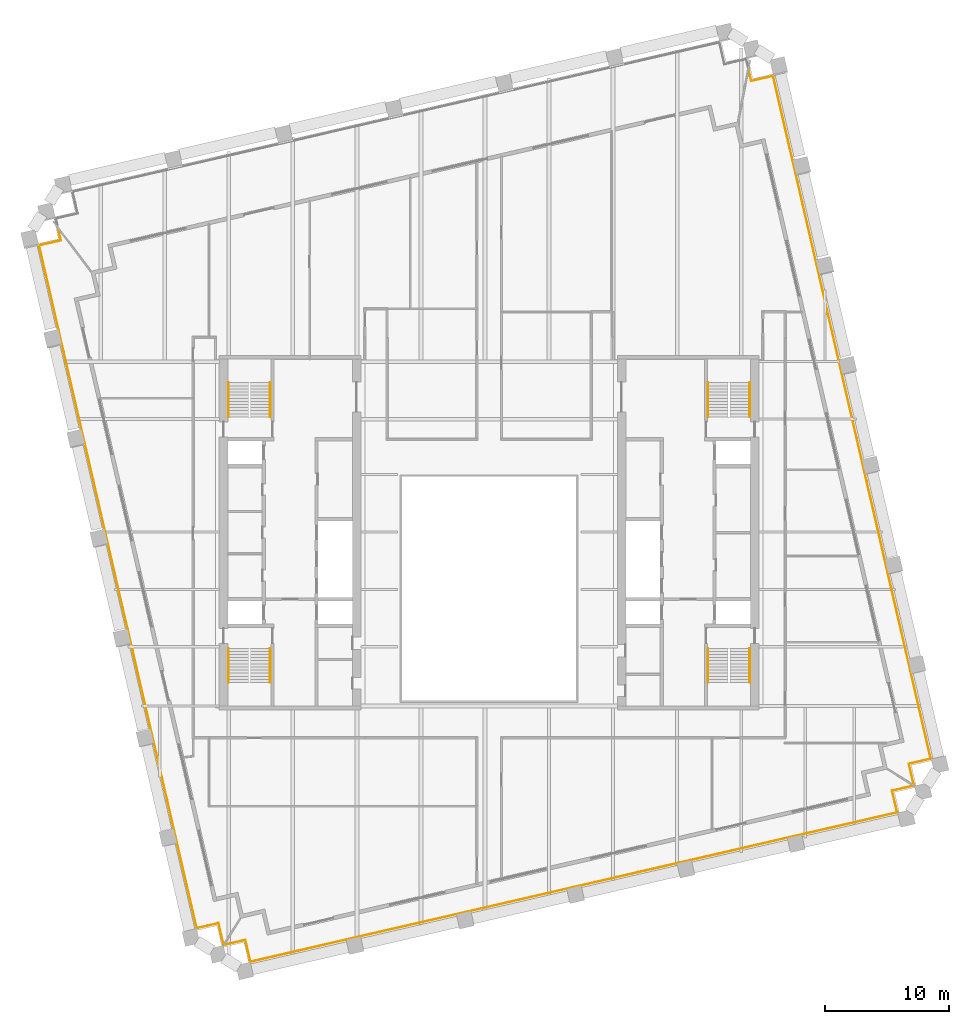
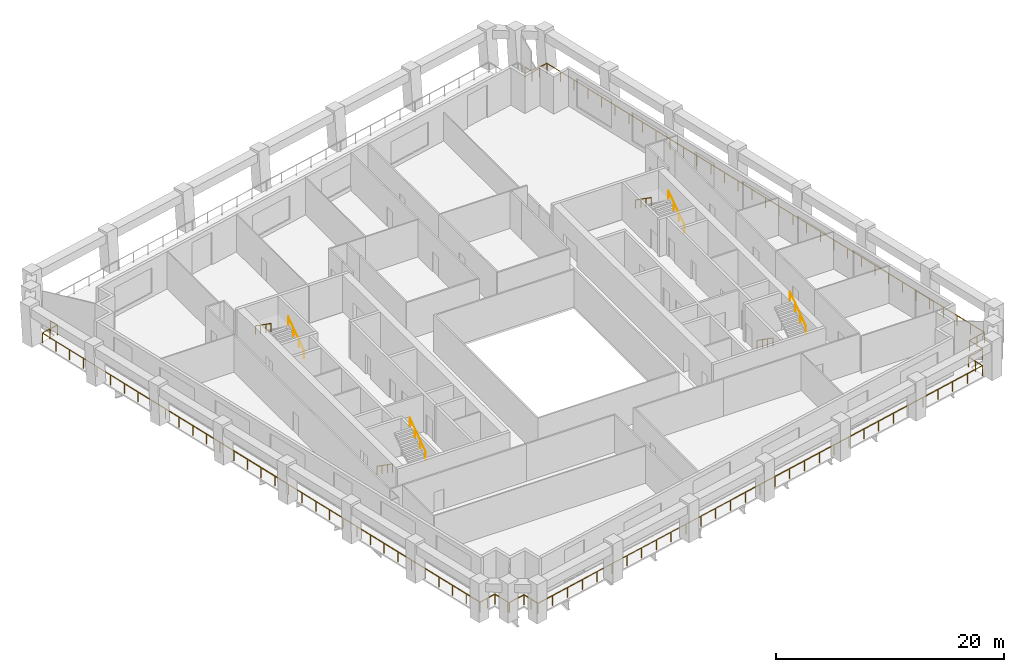
# One storey, part 9 of 10: 11 railings.
"""IFC4 building model written with IfcOpenShell, lengths in metres."""

from ifc_helpers import new_model, si_unit, direction, frame, origin, origin_2d, place, context, subcontext, project, spatial, circle, extrude, material, type_object, element, save


model = new_model("IFC4")

# Units and contexts
model_context = context("Model", 3, precision=1e-05, world=origin(), true_north=direction((0.0, 1.0)))
body_context = subcontext(model_context, "Body", "Model", "MODEL_VIEW")
ifc_project = project(units=[si_unit("LENGTHUNIT", "METRE"), si_unit("AREAUNIT", "SQUARE_METRE"), si_unit("VOLUMEUNIT", "CUBIC_METRE"), si_unit("PLANEANGLEUNIT", "RADIAN"), si_unit("MASSUNIT", "GRAM", prefix="KILO")], contexts=[model_context])

# Site, building, storey
site_placement = place(None, origin())
site = spatial("IfcSite", under=ifc_project, at=site_placement, CompositionType="ELEMENT")
building_placement = place(site_placement, origin())
building = spatial("IfcBuilding", under=site, at=building_placement, Name="Ogive Exchange Tower", CompositionType="ELEMENT")
storey_placement = place(building_placement, frame((0.0, 0.0, 201.0)))
storey = spatial("IfcBuildingStorey", under=building, at=storey_placement, Name="L44", CompositionType="ELEMENT", Elevation=201.0)

# Railings
ifc_material_1 = material(Name="Stainless steel 316", Category="steel")
railing_type_1 = type_object("IfcRailingType", Name="Guard 1100 stainless steel and glass", PredefinedType="GUARDRAIL", material=ifc_material_1)
railing_1_placement = place(storey_placement, frame((34.067138671875, -8.864013671875, -0.050048828125)))
element("IfcRailing", 1, at=railing_1_placement, inside=storey, type_object=railing_type_1, Name="Loggia guard 1", PredefinedType="GUARDRAIL", context=body_context, shape_type="SweptSolid", body=[
    extrude(circle(Radius=0.02392578125, at=origin_2d()), frame((0.0, 0.0, 1.076171875), z_axis=(-0.974364690374, -0.224974332206, 0.0), x_axis=(0.224974332206, -0.974364690374, 0.0)), (0.0, 0.0, 1.0), 1.7080078125),
    extrude(circle(Radius=0.02392578125, at=origin_2d()), frame((-1.664306640625, -0.38427734375, 1.076171875), z_axis=(0.224879318197, -0.974386623598, 0.0), x_axis=(0.974386623598, 0.224879318197, 0.0)), (0.0, 0.0, 1.0), 1.800048828125),
    extrude(circle(Radius=0.02392578125, at=origin_2d()), frame((-1.259521484375, -2.13818359375, 1.076171875), z_axis=(-0.97436998541, -0.224951398156, 0.0), x_axis=(0.224951398156, -0.97436998541, 0.0)), (0.0, 0.0, 1.0), 53.360107421875),
    extrude(circle(Radius=0.02392578125, at=origin_2d()), frame((-53.251953125, -14.1416015625, 1.076171875), z_axis=(-0.224879318197, 0.974386623598, 0.0), x_axis=(-0.974386623598, -0.224879318197, 0.0)), (0.0, 0.0, 1.0), 1.800048828125),
    extrude(circle(Radius=0.02392578125, at=origin_2d()), frame((-53.65673828125, -12.3876953125, 1.076171875), z_axis=(-0.974364690374, -0.224974332206, 0.0), x_axis=(0.224974332206, -0.974364690374, 0.0)), (0.0, 0.0, 1.0), 1.7080078125),
    extrude(circle(Radius=0.02099609375, at=origin_2d()), origin(), (0.0, 0.0, 1.0), 1.052001953125),
    extrude(circle(Radius=0.02099609375, at=origin_2d()), frame((-1.664306640625, -0.38427734375, 0.0)), (0.0, 0.0, 1.0), 1.052001953125),
    extrude(circle(Radius=0.02099609375, at=origin_2d()), frame((-1.4619140625, -1.26123046875, 0.0)), (0.0, 0.0, 1.0), 1.052001953125),
    extrude(circle(Radius=0.02099609375, at=origin_2d()), frame((-1.259521484375, -2.13818359375, 0.0)), (0.0, 0.0, 1.0), 1.052001953125),
    extrude(circle(Radius=0.02099609375, at=origin_2d()), frame((-2.99267578125, -2.538330078125, 0.0)), (0.0, 0.0, 1.0), 1.052001953125),
    extrude(circle(Radius=0.02099609375, at=origin_2d()), frame((-4.7255859375, -2.9384765625, 0.0)), (0.0, 0.0, 1.0), 1.052001953125),
    extrude(circle(Radius=0.02099609375, at=origin_2d()), frame((-6.458740234375, -3.338623046875, 0.0)), (0.0, 0.0, 1.0), 1.052001953125),
    extrude(circle(Radius=0.02099609375, at=origin_2d()), frame((-8.19189453125, -3.738525390625, 0.0)), (0.0, 0.0, 1.0), 1.052001953125),
    extrude(circle(Radius=0.02099609375, at=origin_2d()), frame((-9.9248046875, -4.138671875, 0.0)), (0.0, 0.0, 1.0), 1.052001953125),
    extrude(circle(Radius=0.02099609375, at=origin_2d()), frame((-11.657958984375, -4.538818359375, 0.0)), (0.0, 0.0, 1.0), 1.052001953125),
    extrude(circle(Radius=0.02099609375, at=origin_2d()), frame((-13.39111328125, -4.93896484375, 0.0)), (0.0, 0.0, 1.0), 1.052001953125),
    extrude(circle(Radius=0.02099609375, at=origin_2d()), frame((-15.124267578125, -5.339111328125, 0.0)), (0.0, 0.0, 1.0), 1.052001953125),
    extrude(circle(Radius=0.02099609375, at=origin_2d()), frame((-16.857177734375, -5.7392578125, 0.0)), (0.0, 0.0, 1.0), 1.052001953125),
    extrude(circle(Radius=0.02099609375, at=origin_2d()), frame((-18.59033203125, -6.139404296875, 0.0)), (0.0, 0.0, 1.0), 1.052001953125),
    extrude(circle(Radius=0.02099609375, at=origin_2d()), frame((-20.323486328125, -6.53955078125, 0.0)), (0.0, 0.0, 1.0), 1.052001953125),
    extrude(circle(Radius=0.02099609375, at=origin_2d()), frame((-22.056396484375, -6.939453125, 0.0)), (0.0, 0.0, 1.0), 1.052001953125),
    extrude(circle(Radius=0.02099609375, at=origin_2d()), frame((-23.78955078125, -7.339599609375, 0.0)), (0.0, 0.0, 1.0), 1.052001953125),
    extrude(circle(Radius=0.02099609375, at=origin_2d()), frame((-25.522705078125, -7.73974609375, 0.0)), (0.0, 0.0, 1.0), 1.052001953125),
    extrude(circle(Radius=0.02099609375, at=origin_2d()), frame((-27.255859375, -8.139892578125, 0.0)), (0.0, 0.0, 1.0), 1.052001953125),
    extrude(circle(Radius=0.02099609375, at=origin_2d()), frame((-28.98876953125, -8.5400390625, 0.0)), (0.0, 0.0, 1.0), 1.052001953125),
    extrude(circle(Radius=0.02099609375, at=origin_2d()), frame((-30.721923828125, -8.940185546875, 0.0)), (0.0, 0.0, 1.0), 1.052001953125),
    extrude(circle(Radius=0.02099609375, at=origin_2d()), frame((-32.455078125, -9.34033203125, 0.0)), (0.0, 0.0, 1.0), 1.052001953125),
    extrude(circle(Radius=0.02099609375, at=origin_2d()), frame((-34.18798828125, -9.740234375, 0.0)), (0.0, 0.0, 1.0), 1.052001953125),
    extrude(circle(Radius=0.02099609375, at=origin_2d()), frame((-35.921142578125, -10.140380859375, 0.0)), (0.0, 0.0, 1.0), 1.052001953125),
    extrude(circle(Radius=0.02099609375, at=origin_2d()), frame((-37.654296875, -10.54052734375, 0.0)), (0.0, 0.0, 1.0), 1.052001953125),
    extrude(circle(Radius=0.02099609375, at=origin_2d()), frame((-39.38720703125, -10.940673828125, 0.0)), (0.0, 0.0, 1.0), 1.052001953125),
    extrude(circle(Radius=0.02099609375, at=origin_2d()), frame((-41.120361328125, -11.3408203125, 0.0)), (0.0, 0.0, 1.0), 1.052001953125),
    extrude(circle(Radius=0.02099609375, at=origin_2d()), frame((-42.853515625, -11.740966796875, 0.0)), (0.0, 0.0, 1.0), 1.052001953125),
    extrude(circle(Radius=0.02099609375, at=origin_2d()), frame((-44.58642578125, -12.14111328125, 0.0)), (0.0, 0.0, 1.0), 1.052001953125),
    extrude(circle(Radius=0.02099609375, at=origin_2d()), frame((-46.319580078125, -12.541259765625, 0.0)), (0.0, 0.0, 1.0), 1.052001953125),
    extrude(circle(Radius=0.02099609375, at=origin_2d()), frame((-48.052734375, -12.941162109375, 0.0)), (0.0, 0.0, 1.0), 1.052001953125),
    extrude(circle(Radius=0.02099609375, at=origin_2d()), frame((-49.785888671875, -13.34130859375, 0.0)), (0.0, 0.0, 1.0), 1.052001953125),
    extrude(circle(Radius=0.02099609375, at=origin_2d()), frame((-51.518798828125, -13.741455078125, 0.0)), (0.0, 0.0, 1.0), 1.052001953125),
    extrude(circle(Radius=0.02099609375, at=origin_2d()), frame((-53.251953125, -14.1416015625, 0.0)), (0.0, 0.0, 1.0), 1.052001953125),
    extrude(circle(Radius=0.02099609375, at=origin_2d()), frame((-53.454345703125, -13.2646484375, 0.0)), (0.0, 0.0, 1.0), 1.052001953125),
    extrude(circle(Radius=0.02099609375, at=origin_2d()), frame((-53.65673828125, -12.3876953125, 0.0)), (0.0, 0.0, 1.0), 1.052001953125),
    extrude(circle(Radius=0.02099609375, at=origin_2d()), frame((-55.321044921875, -12.77197265625, 0.0)), (0.0, 0.0, 1.0), 1.052001953125),
])
railing_2_placement = place(storey_placement, frame((-21.364013671875, -21.567138671875, -0.050048828125)))
element("IfcRailing", 2, at=railing_2_placement, inside=storey, type_object=railing_type_1, Name="Loggia guard 2", PredefinedType="GUARDRAIL", context=body_context, shape_type="SweptSolid", body=[
    extrude(circle(Radius=0.02392578125, at=origin_2d()), frame((0.0, 0.0, 1.076171875), z_axis=(-0.224974332206, 0.974364690374, 0.0), x_axis=(-0.974364690374, -0.224974332206, 0.0)), (0.0, 0.0, 1.0), 1.7080078125),
    extrude(circle(Radius=0.02392578125, at=origin_2d()), frame((-0.38427734375, 1.664306640625, 1.076171875), z_axis=(-0.974386623598, -0.224879318197, 0.0), x_axis=(0.224879318197, -0.974386623598, 0.0)), (0.0, 0.0, 1.0), 1.800048828125),
    extrude(circle(Radius=0.02392578125, at=origin_2d()), frame((-2.13818359375, 1.259521484375, 1.076171875), z_axis=(-0.224951926544, 0.974369863422, 0.0), x_axis=(-0.974369863422, -0.224951926544, 0.0)), (0.0, 0.0, 1.0), 56.334716796875),
    extrude(circle(Radius=0.02392578125, at=origin_2d()), frame((-14.810791015625, 56.150390625, 1.076171875), z_axis=(0.974386623598, 0.224879318197, 0.0), x_axis=(-0.224879318197, 0.974386623598, 0.0)), (0.0, 0.0, 1.0), 1.800048828125),
    extrude(circle(Radius=0.02392578125, at=origin_2d()), frame((-13.056884765625, 56.55517578125, 1.076171875), z_axis=(-0.22504348508, 0.974348720851, 0.0), x_axis=(-0.974348720851, -0.22504348508, 0.0)), (0.0, 0.0, 1.0), 0.872314453125),
    extrude(circle(Radius=0.02099609375, at=origin_2d()), origin(), (0.0, 0.0, 1.0), 1.052001953125),
    extrude(circle(Radius=0.02099609375, at=origin_2d()), frame((-0.38427734375, 1.664306640625, 0.0)), (0.0, 0.0, 1.0), 1.052001953125),
    extrude(circle(Radius=0.02099609375, at=origin_2d()), frame((-1.26123046875, 1.4619140625, 0.0)), (0.0, 0.0, 1.0), 1.052001953125),
    extrude(circle(Radius=0.02099609375, at=origin_2d()), frame((-2.13818359375, 1.259521484375, 0.0)), (0.0, 0.0, 1.0), 1.052001953125),
    extrude(circle(Radius=0.02099609375, at=origin_2d()), frame((-2.5341796875, 2.974853515625, 0.0)), (0.0, 0.0, 1.0), 1.052001953125),
    extrude(circle(Radius=0.02099609375, at=origin_2d()), frame((-2.93017578125, 4.690185546875, 0.0)), (0.0, 0.0, 1.0), 1.052001953125),
    extrude(circle(Radius=0.02099609375, at=origin_2d()), frame((-3.326171875, 6.405517578125, 0.0)), (0.0, 0.0, 1.0), 1.052001953125),
    extrude(circle(Radius=0.02099609375, at=origin_2d()), frame((-3.72216796875, 8.120849609375, 0.0)), (0.0, 0.0, 1.0), 1.052001953125),
    extrude(circle(Radius=0.02099609375, at=origin_2d()), frame((-4.1181640625, 9.836181640625, 0.0)), (0.0, 0.0, 1.0), 1.052001953125),
    extrude(circle(Radius=0.02099609375, at=origin_2d()), frame((-4.514404296875, 11.551513671875, 0.0)), (0.0, 0.0, 1.0), 1.052001953125),
    extrude(circle(Radius=0.02099609375, at=origin_2d()), frame((-4.910400390625, 13.266845703125, 0.0)), (0.0, 0.0, 1.0), 1.052001953125),
    extrude(circle(Radius=0.02099609375, at=origin_2d()), frame((-5.306396484375, 14.982177734375, 0.0)), (0.0, 0.0, 1.0), 1.052001953125),
    extrude(circle(Radius=0.02099609375, at=origin_2d()), frame((-5.702392578125, 16.697509765625, 0.0)), (0.0, 0.0, 1.0), 1.052001953125),
    extrude(circle(Radius=0.02099609375, at=origin_2d()), frame((-6.098388671875, 18.412841796875, 0.0)), (0.0, 0.0, 1.0), 1.052001953125),
    extrude(circle(Radius=0.02099609375, at=origin_2d()), frame((-6.494384765625, 20.128173828125, 0.0)), (0.0, 0.0, 1.0), 1.052001953125),
    extrude(circle(Radius=0.02099609375, at=origin_2d()), frame((-6.890380859375, 21.843505859375, 0.0)), (0.0, 0.0, 1.0), 1.052001953125),
    extrude(circle(Radius=0.02099609375, at=origin_2d()), frame((-7.286376953125, 23.558837890625, 0.0)), (0.0, 0.0, 1.0), 1.052001953125),
    extrude(circle(Radius=0.02099609375, at=origin_2d()), frame((-7.682373046875, 25.274169921875, 0.0)), (0.0, 0.0, 1.0), 1.052001953125),
    extrude(circle(Radius=0.02099609375, at=origin_2d()), frame((-8.078369140625, 26.989501953125, 0.0)), (0.0, 0.0, 1.0), 1.052001953125),
    extrude(circle(Radius=0.02099609375, at=origin_2d()), frame((-8.474609375, 28.705078125, 0.0)), (0.0, 0.0, 1.0), 1.052001953125),
    extrude(circle(Radius=0.02099609375, at=origin_2d()), frame((-8.87060546875, 30.42041015625, 0.0)), (0.0, 0.0, 1.0), 1.052001953125),
    extrude(circle(Radius=0.02099609375, at=origin_2d()), frame((-9.2666015625, 32.1357421875, 0.0)), (0.0, 0.0, 1.0), 1.052001953125),
    extrude(circle(Radius=0.02099609375, at=origin_2d()), frame((-9.66259765625, 33.85107421875, 0.0)), (0.0, 0.0, 1.0), 1.052001953125),
    extrude(circle(Radius=0.02099609375, at=origin_2d()), frame((-10.05859375, 35.56640625, 0.0)), (0.0, 0.0, 1.0), 1.052001953125),
    extrude(circle(Radius=0.02099609375, at=origin_2d()), frame((-10.45458984375, 37.28173828125, 0.0)), (0.0, 0.0, 1.0), 1.052001953125),
    extrude(circle(Radius=0.02099609375, at=origin_2d()), frame((-10.8505859375, 38.9970703125, 0.0)), (0.0, 0.0, 1.0), 1.052001953125),
    extrude(circle(Radius=0.02099609375, at=origin_2d()), frame((-11.24658203125, 40.71240234375, 0.0)), (0.0, 0.0, 1.0), 1.052001953125),
    extrude(circle(Radius=0.02099609375, at=origin_2d()), frame((-11.642578125, 42.427734375, 0.0)), (0.0, 0.0, 1.0), 1.052001953125),
    extrude(circle(Radius=0.02099609375, at=origin_2d()), frame((-12.03857421875, 44.14306640625, 0.0)), (0.0, 0.0, 1.0), 1.052001953125),
    extrude(circle(Radius=0.02099609375, at=origin_2d()), frame((-12.4345703125, 45.8583984375, 0.0)), (0.0, 0.0, 1.0), 1.052001953125),
    extrude(circle(Radius=0.02099609375, at=origin_2d()), frame((-12.830810546875, 47.57373046875, 0.0)), (0.0, 0.0, 1.0), 1.052001953125),
    extrude(circle(Radius=0.02099609375, at=origin_2d()), frame((-13.226806640625, 49.2890625, 0.0)), (0.0, 0.0, 1.0), 1.052001953125),
    extrude(circle(Radius=0.02099609375, at=origin_2d()), frame((-13.622802734375, 51.00439453125, 0.0)), (0.0, 0.0, 1.0), 1.052001953125),
    extrude(circle(Radius=0.02099609375, at=origin_2d()), frame((-14.018798828125, 52.7197265625, 0.0)), (0.0, 0.0, 1.0), 1.052001953125),
    extrude(circle(Radius=0.02099609375, at=origin_2d()), frame((-14.414794921875, 54.43505859375, 0.0)), (0.0, 0.0, 1.0), 1.052001953125),
    extrude(circle(Radius=0.02099609375, at=origin_2d()), frame((-14.810791015625, 56.150390625, 0.0)), (0.0, 0.0, 1.0), 1.052001953125),
    extrude(circle(Radius=0.02099609375, at=origin_2d()), frame((-13.933837890625, 56.352783203125, 0.0)), (0.0, 0.0, 1.0), 1.052001953125),
    extrude(circle(Radius=0.02099609375, at=origin_2d()), frame((-13.056884765625, 56.55517578125, 0.0)), (0.0, 0.0, 1.0), 1.052001953125),
    extrude(circle(Radius=0.02099609375, at=origin_2d()), frame((-13.253173828125, 57.405029296875, 0.0)), (0.0, 0.0, 1.0), 1.052001953125),
])
railing_3_placement = place(storey_placement, frame((20.883056640625, 48.651123046875, -0.050048828125)))
element("IfcRailing", 3, at=railing_3_placement, inside=storey, type_object=railing_type_1, Name="Loggia guard 4", PredefinedType="GUARDRAIL", context=body_context, shape_type="SweptSolid", body=[
    extrude(circle(Radius=0.02392578125, at=origin_2d()), frame((0.0, 0.0, 1.076171875), z_axis=(0.224777730808, -0.97441006344, 0.0), x_axis=(0.97441006344, 0.224777730808, 0.0)), (0.0, 0.0, 1.0), 0.8720703125),
    extrude(circle(Radius=0.02392578125, at=origin_2d()), frame((0.196044921875, -0.849853515625, 1.076171875), z_axis=(0.974356896201, 0.225008086135, 0.0), x_axis=(-0.225008086135, 0.974356896201, 0.0)), (0.0, 0.0, 1.0), 1.800048828125),
    extrude(circle(Radius=0.02392578125, at=origin_2d()), frame((1.949951171875, -0.44482421875, 1.076171875), z_axis=(0.224950976649, -0.974370082723, 0.0), x_axis=(0.974370082723, 0.224950976649, 0.0)), (0.0, 0.0, 1.0), 56.3349609375),
    extrude(circle(Radius=0.02392578125, at=origin_2d()), frame((14.62255859375, -55.3359375, 1.076171875), z_axis=(-0.974386623598, -0.224879318197, 0.0), x_axis=(0.224879318197, -0.974386623598, 0.0)), (0.0, 0.0, 1.0), 1.800048828125),
    extrude(circle(Radius=0.02392578125, at=origin_2d()), frame((12.86865234375, -55.74072265625, 1.076171875), z_axis=(0.224974332206, -0.974364690374, 0.0), x_axis=(0.974364690374, 0.224974332206, 0.0)), (0.0, 0.0, 1.0), 1.7080078125),
    extrude(circle(Radius=0.02099609375, at=origin_2d()), origin(), (0.0, 0.0, 1.0), 1.052001953125),
    extrude(circle(Radius=0.02099609375, at=origin_2d()), frame((0.196044921875, -0.849853515625, 0.0)), (0.0, 0.0, 1.0), 1.052001953125),
    extrude(circle(Radius=0.02099609375, at=origin_2d()), frame((1.072998046875, -0.6474609375, 0.0)), (0.0, 0.0, 1.0), 1.052001953125),
    extrude(circle(Radius=0.02099609375, at=origin_2d()), frame((1.949951171875, -0.44482421875, 0.0)), (0.0, 0.0, 1.0), 1.052001953125),
    extrude(circle(Radius=0.02099609375, at=origin_2d()), frame((2.345947265625, -2.16015625, 0.0)), (0.0, 0.0, 1.0), 1.052001953125),
    extrude(circle(Radius=0.02099609375, at=origin_2d()), frame((2.741943359375, -3.87548828125, 0.0)), (0.0, 0.0, 1.0), 1.052001953125),
    extrude(circle(Radius=0.02099609375, at=origin_2d()), frame((3.137939453125, -5.5908203125, 0.0)), (0.0, 0.0, 1.0), 1.052001953125),
    extrude(circle(Radius=0.02099609375, at=origin_2d()), frame((3.533935546875, -7.30615234375, 0.0)), (0.0, 0.0, 1.0), 1.052001953125),
    extrude(circle(Radius=0.02099609375, at=origin_2d()), frame((3.929931640625, -9.021484375, 0.0)), (0.0, 0.0, 1.0), 1.052001953125),
    extrude(circle(Radius=0.02099609375, at=origin_2d()), frame((4.326171875, -10.73681640625, 0.0)), (0.0, 0.0, 1.0), 1.052001953125),
    extrude(circle(Radius=0.02099609375, at=origin_2d()), frame((4.72216796875, -12.4521484375, 0.0)), (0.0, 0.0, 1.0), 1.052001953125),
    extrude(circle(Radius=0.02099609375, at=origin_2d()), frame((5.1181640625, -14.16748046875, 0.0)), (0.0, 0.0, 1.0), 1.052001953125),
    extrude(circle(Radius=0.02099609375, at=origin_2d()), frame((5.51416015625, -15.883056640625, 0.0)), (0.0, 0.0, 1.0), 1.052001953125),
    extrude(circle(Radius=0.02099609375, at=origin_2d()), frame((5.91015625, -17.598388671875, 0.0)), (0.0, 0.0, 1.0), 1.052001953125),
    extrude(circle(Radius=0.02099609375, at=origin_2d()), frame((6.30615234375, -19.313720703125, 0.0)), (0.0, 0.0, 1.0), 1.052001953125),
    extrude(circle(Radius=0.02099609375, at=origin_2d()), frame((6.7021484375, -21.029052734375, 0.0)), (0.0, 0.0, 1.0), 1.052001953125),
    extrude(circle(Radius=0.02099609375, at=origin_2d()), frame((7.09814453125, -22.744384765625, 0.0)), (0.0, 0.0, 1.0), 1.052001953125),
    extrude(circle(Radius=0.02099609375, at=origin_2d()), frame((7.494140625, -24.459716796875, 0.0)), (0.0, 0.0, 1.0), 1.052001953125),
    extrude(circle(Radius=0.02099609375, at=origin_2d()), frame((7.89013671875, -26.175048828125, 0.0)), (0.0, 0.0, 1.0), 1.052001953125),
    extrude(circle(Radius=0.02099609375, at=origin_2d()), frame((8.2861328125, -27.890380859375, 0.0)), (0.0, 0.0, 1.0), 1.052001953125),
    extrude(circle(Radius=0.02099609375, at=origin_2d()), frame((8.682373046875, -29.605712890625, 0.0)), (0.0, 0.0, 1.0), 1.052001953125),
    extrude(circle(Radius=0.02099609375, at=origin_2d()), frame((9.078369140625, -31.321044921875, 0.0)), (0.0, 0.0, 1.0), 1.052001953125),
    extrude(circle(Radius=0.02099609375, at=origin_2d()), frame((9.474365234375, -33.036376953125, 0.0)), (0.0, 0.0, 1.0), 1.052001953125),
    extrude(circle(Radius=0.02099609375, at=origin_2d()), frame((9.870361328125, -34.751708984375, 0.0)), (0.0, 0.0, 1.0), 1.052001953125),
    extrude(circle(Radius=0.02099609375, at=origin_2d()), frame((10.266357421875, -36.467041015625, 0.0)), (0.0, 0.0, 1.0), 1.052001953125),
    extrude(circle(Radius=0.02099609375, at=origin_2d()), frame((10.662353515625, -38.182373046875, 0.0)), (0.0, 0.0, 1.0), 1.052001953125),
    extrude(circle(Radius=0.02099609375, at=origin_2d()), frame((11.058349609375, -39.897705078125, 0.0)), (0.0, 0.0, 1.0), 1.052001953125),
    extrude(circle(Radius=0.02099609375, at=origin_2d()), frame((11.454345703125, -41.61328125, 0.0)), (0.0, 0.0, 1.0), 1.052001953125),
    extrude(circle(Radius=0.02099609375, at=origin_2d()), frame((11.850341796875, -43.32861328125, 0.0)), (0.0, 0.0, 1.0), 1.052001953125),
    extrude(circle(Radius=0.02099609375, at=origin_2d()), frame((12.246337890625, -45.0439453125, 0.0)), (0.0, 0.0, 1.0), 1.052001953125),
    extrude(circle(Radius=0.02099609375, at=origin_2d()), frame((12.642578125, -46.75927734375, 0.0)), (0.0, 0.0, 1.0), 1.052001953125),
    extrude(circle(Radius=0.02099609375, at=origin_2d()), frame((13.03857421875, -48.474609375, 0.0)), (0.0, 0.0, 1.0), 1.052001953125),
    extrude(circle(Radius=0.02099609375, at=origin_2d()), frame((13.4345703125, -50.18994140625, 0.0)), (0.0, 0.0, 1.0), 1.052001953125),
    extrude(circle(Radius=0.02099609375, at=origin_2d()), frame((13.83056640625, -51.9052734375, 0.0)), (0.0, 0.0, 1.0), 1.052001953125),
    extrude(circle(Radius=0.02099609375, at=origin_2d()), frame((14.2265625, -53.62060546875, 0.0)), (0.0, 0.0, 1.0), 1.052001953125),
    extrude(circle(Radius=0.02099609375, at=origin_2d()), frame((14.62255859375, -55.3359375, 0.0)), (0.0, 0.0, 1.0), 1.052001953125),
    extrude(circle(Radius=0.02099609375, at=origin_2d()), frame((13.74560546875, -55.538330078125, 0.0)), (0.0, 0.0, 1.0), 1.052001953125),
    extrude(circle(Radius=0.02099609375, at=origin_2d()), frame((12.86865234375, -55.74072265625, 0.0)), (0.0, 0.0, 1.0), 1.052001953125),
    extrude(circle(Radius=0.02099609375, at=origin_2d()), frame((13.2529296875, -57.405029296875, 0.0)), (0.0, 0.0, 1.0), 1.052001953125),
])
ifc_material_2 = material(Name="Stainless steel", Category="steel")
railing_type_2 = type_object("IfcRailingType", Name="Stair handrail 900", PredefinedType="HANDRAIL", material=ifc_material_2)
railing_4_placement = place(storey_placement, frame((-20.949951171875, 2.199951171875, 0.175048828125)))
element("IfcRailing", 4, at=railing_4_placement, inside=storey, type_object=railing_type_2, Name="L44 ST1 stair handrail 1", PredefinedType="HANDRAIL", context=body_context, shape_type="SweptSolid", body=[
    extrude(circle(Radius=0.02392578125, at=origin_2d()), frame((0.0, 0.0, 0.8759765625), z_axis=(0.0, -0.819225086817, 0.573472106672), x_axis=(1.0, 0.0, 0.0)), (0.0, 0.0, 1.0), 3.35693359375),
    extrude(circle(Radius=0.02099609375, at=origin_2d()), origin(), (0.0, 0.0, 1.0), 0.851806640625),
    extrude(circle(Radius=0.02099609375, at=origin_2d()), frame((0.0, -0.916748046875, 0.6416015625)), (0.0, 0.0, 1.0), 0.851806640625),
    extrude(circle(Radius=0.02099609375, at=origin_2d()), frame((0.0, -1.833251953125, 1.283447265625)), (0.0, 0.0, 1.0), 0.851806640625),
    extrude(circle(Radius=0.02099609375, at=origin_2d()), frame((0.0, -2.75, 1.925048828125)), (0.0, 0.0, 1.0), 0.851806640625),
])
for number, where, name in (
    (5, (-17.60009765625, -0.550048828125, 2.27490234375), "L44 ST1 stair handrail 2"),
    (6, (-17.60009765625, 20.800048828125, 0.175048828125), "L44 ST2 stair handrail 1"),
):
    element("IfcRailing", number, at=place(storey_placement, frame(where)), inside=storey, type_object=railing_type_2, Name=name, PredefinedType="HANDRAIL", context=body_context, shape_type="SweptSolid", body=[
        extrude(circle(Radius=0.02392578125, at=origin_2d()), frame((0.0, 0.0, 0.8759765625), z_axis=(0.0, 0.819225086817, 0.573472106672), x_axis=(-1.0, 0.0, 0.0)), (0.0, 0.0, 1.0), 3.35693359375),
        extrude(circle(Radius=0.02099609375, at=origin_2d()), origin(), (0.0, 0.0, 1.0), 0.851806640625),
        extrude(circle(Radius=0.02099609375, at=origin_2d()), frame((0.0, 0.916748046875, 0.6416015625)), (0.0, 0.0, 1.0), 0.851806640625),
        extrude(circle(Radius=0.02099609375, at=origin_2d()), frame((0.0, 1.833251953125, 1.283447265625)), (0.0, 0.0, 1.0), 0.851806640625),
        extrude(circle(Radius=0.02099609375, at=origin_2d()), frame((0.0, 2.75, 1.925048828125)), (0.0, 0.0, 1.0), 0.851806640625),
    ])
for number, where, name in (
    (7, (-20.949951171875, 23.550048828125, 2.27490234375), "L44 ST2 stair handrail 2"),
    (8, (17.60009765625, 2.199951171875, 0.175048828125), "L44 ST3 stair handrail 1"),
):
    element("IfcRailing", number, at=place(storey_placement, frame(where)), inside=storey, type_object=railing_type_2, Name=name, PredefinedType="HANDRAIL", context=body_context, shape_type="SweptSolid", body=[
        extrude(circle(Radius=0.02392578125, at=origin_2d()), frame((0.0, 0.0, 0.8759765625), z_axis=(0.0, -0.819225086817, 0.573472106672), x_axis=(1.0, 0.0, 0.0)), (0.0, 0.0, 1.0), 3.35693359375),
        extrude(circle(Radius=0.02099609375, at=origin_2d()), origin(), (0.0, 0.0, 1.0), 0.851806640625),
        extrude(circle(Radius=0.02099609375, at=origin_2d()), frame((0.0, -0.916748046875, 0.6416015625)), (0.0, 0.0, 1.0), 0.851806640625),
        extrude(circle(Radius=0.02099609375, at=origin_2d()), frame((0.0, -1.833251953125, 1.283447265625)), (0.0, 0.0, 1.0), 0.851806640625),
        extrude(circle(Radius=0.02099609375, at=origin_2d()), frame((0.0, -2.75, 1.925048828125)), (0.0, 0.0, 1.0), 0.851806640625),
    ])
for number, where, name in (
    (9, (20.949951171875, -0.550048828125, 2.27490234375), "L44 ST3 stair handrail 2"),
    (10, (20.949951171875, 20.800048828125, 0.175048828125), "L44 ST4 stair handrail 1"),
):
    element("IfcRailing", number, at=place(storey_placement, frame(where)), inside=storey, type_object=railing_type_2, Name=name, PredefinedType="HANDRAIL", context=body_context, shape_type="SweptSolid", body=[
        extrude(circle(Radius=0.02392578125, at=origin_2d()), frame((0.0, 0.0, 0.8759765625), z_axis=(0.0, 0.819225086817, 0.573472106672), x_axis=(-1.0, 0.0, 0.0)), (0.0, 0.0, 1.0), 3.35693359375),
        extrude(circle(Radius=0.02099609375, at=origin_2d()), origin(), (0.0, 0.0, 1.0), 0.851806640625),
        extrude(circle(Radius=0.02099609375, at=origin_2d()), frame((0.0, 0.916748046875, 0.6416015625)), (0.0, 0.0, 1.0), 0.851806640625),
        extrude(circle(Radius=0.02099609375, at=origin_2d()), frame((0.0, 1.833251953125, 1.283447265625)), (0.0, 0.0, 1.0), 0.851806640625),
        extrude(circle(Radius=0.02099609375, at=origin_2d()), frame((0.0, 2.75, 1.925048828125)), (0.0, 0.0, 1.0), 0.851806640625),
    ])
railing_5_placement = place(storey_placement, frame((17.60009765625, 23.550048828125, 2.27490234375)))
element("IfcRailing", 11, at=railing_5_placement, inside=storey, type_object=railing_type_2, Name="L44 ST4 stair handrail 2", PredefinedType="HANDRAIL", context=body_context, shape_type="SweptSolid", body=[
    extrude(circle(Radius=0.02392578125, at=origin_2d()), frame((0.0, 0.0, 0.8759765625), z_axis=(0.0, -0.819225086817, 0.573472106672), x_axis=(1.0, 0.0, 0.0)), (0.0, 0.0, 1.0), 3.35693359375),
    extrude(circle(Radius=0.02099609375, at=origin_2d()), origin(), (0.0, 0.0, 1.0), 0.851806640625),
    extrude(circle(Radius=0.02099609375, at=origin_2d()), frame((0.0, -0.916748046875, 0.6416015625)), (0.0, 0.0, 1.0), 0.851806640625),
    extrude(circle(Radius=0.02099609375, at=origin_2d()), frame((0.0, -1.833251953125, 1.283447265625)), (0.0, 0.0, 1.0), 0.851806640625),
    extrude(circle(Radius=0.02099609375, at=origin_2d()), frame((0.0, -2.75, 1.925048828125)), (0.0, 0.0, 1.0), 0.851806640625),
])

save(model, "model.ifc")
